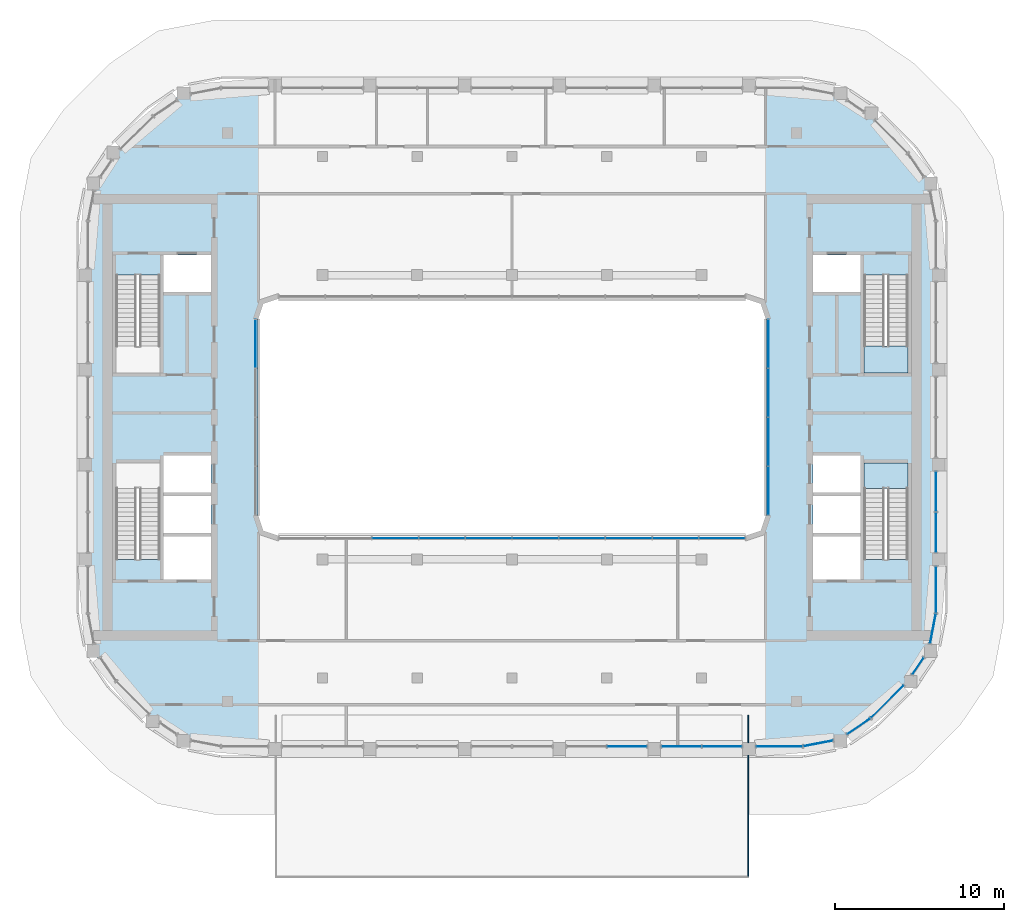
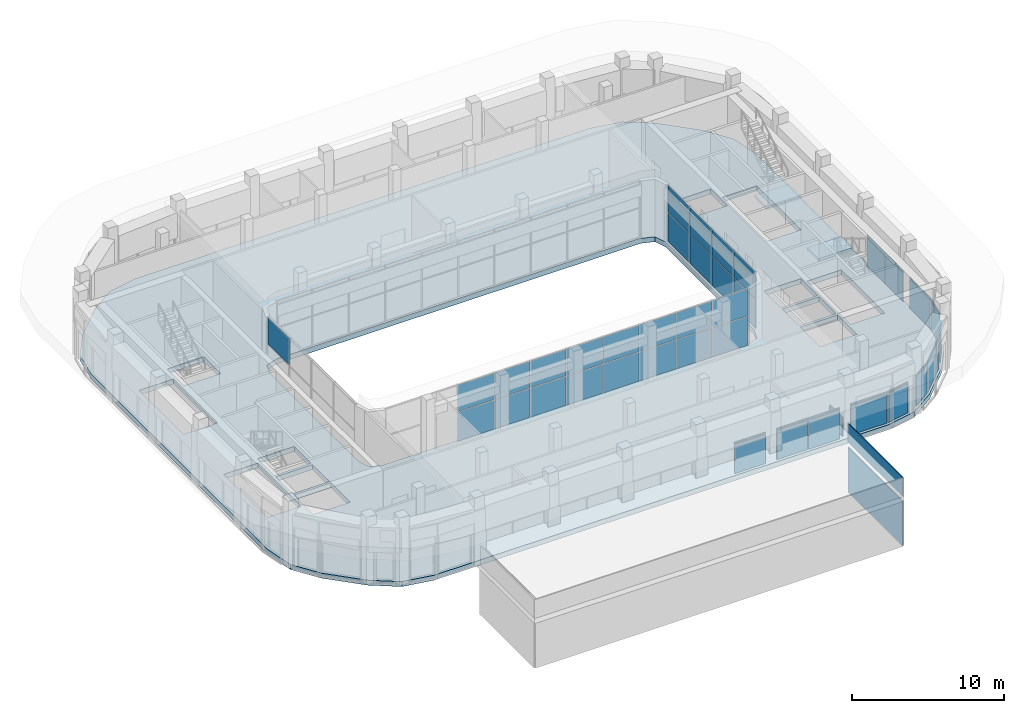
# One storey, part 11 of 23: 52 plates, 3 slabs, 15 elements without a shape of their own.
"""IFC4 building model written with IfcOpenShell, lengths in metres."""

from ifc_helpers import new_model, si_unit, direction, frame, origin, origin_2d, place, context, subcontext, project, spatial, polyline, rectangle, outline, extrude, material, layer, layer_set, type_object, element, aggregate, save


model = new_model("IFC4")

# Units and contexts
model_context = context("Model", 3, precision=1e-05, world=origin(), true_north=direction((0.0, 1.0)))
body_context = subcontext(model_context, "Body", "Model", "MODEL_VIEW")
ifc_project = project(units=[si_unit("LENGTHUNIT", "METRE"), si_unit("AREAUNIT", "SQUARE_METRE"), si_unit("VOLUMEUNIT", "CUBIC_METRE"), si_unit("PLANEANGLEUNIT", "RADIAN"), si_unit("MASSUNIT", "GRAM", prefix="KILO")], contexts=[model_context])

# Site, building, storey
site_placement = place(None, origin())
site = spatial("IfcSite", under=ifc_project, at=site_placement, CompositionType="ELEMENT")
building_placement = place(site_placement, origin())
building = spatial("IfcBuilding", under=site, at=building_placement, Name="Kiln Ring Residences", CompositionType="ELEMENT")
storey_placement = place(building_placement, frame((0.0, 0.0, 294.5)))
storey = spatial("IfcBuildingStorey", under=building, at=storey_placement, Name="L76", CompositionType="ELEMENT", Elevation=294.5)

# Stair, slab
ifc_material_1 = material(Name="Concrete C40/50", Category="concrete")
stair_type = type_object("IfcStairType", Name="CORE-STAIR", PredefinedType="HALF_TURN_STAIR", material=ifc_material_1)
placement_1 = place(storey_placement, origin())
stair_1 = element("IfcStair", 1, at=placement_1, inside=storey, type_object=stair_type, Name="L76 stair E-STN", PredefinedType="HALF_TURN_STAIR")
ifc_material_2 = material(Name="Concrete C40/50", Category="concrete")
ifc_layer_1 = layer(ifc_material_2, 0.199951171875)
ifc_layer_set_1 = layer_set([ifc_layer_1], Name="CORE-STAIR-LANDING")
slab_type_1 = type_object("IfcSlabType", Name="CORE-STAIR-LANDING", PredefinedType="LANDING", material=ifc_layer_set_1)
placement_2 = place(storey_placement, frame((0.0, 0.0, 2.5)))
slab_1 = element("IfcSlab", 2, at=placement_2, type_object=slab_type_1, Name="E-STN landing 1", PredefinedType="LANDING", context=body_context, shape_type="SweptSolid", body=[
    extrude(outline(polyline([(20.800048828125, 4.199951171875), (20.800048828125, 2.60009765625), (23.39990234375, 2.60009765625), (23.39990234375, 4.199951171875), (20.800048828125, 4.199951171875)])), origin(), (0.0, 0.0, 1.0), 0.199951171875),
])
aggregate(stair_1, [slab_1])

stair_2 = element("IfcStair", 3, at=placement_1, inside=storey, type_object=stair_type, Name="L76 stair E-STS", PredefinedType="HALF_TURN_STAIR")
slab_2 = element("IfcSlab", 4, at=placement_2, type_object=slab_type_1, Name="E-STS landing 1", PredefinedType="LANDING", context=body_context, shape_type="SweptSolid", body=[
    extrude(outline(polyline([(23.39990234375, -4.199951171875), (23.39990234375, -2.699951171875), (20.800048828125, -2.699951171875), (20.800048828125, -4.199951171875), (23.39990234375, -4.199951171875)])), origin(), (0.0, 0.0, 1.0), 0.199951171875),
])
aggregate(stair_2, [slab_2])

# Curtain wall, plate
ifc_material_3 = material(Name="Aluminium and glass", Category="aluminium")
ifc_layer_2 = layer(ifc_material_3, 0.179931640625)
ifc_layer_set_2 = layer_set([ifc_layer_2], Name="CW3 CURTAIN WALL")
curtain_wall_type_1 = type_object("IfcCurtainWallType", Name="CW3 CURTAIN WALL", PredefinedType="NOTDEFINED", material=ifc_layer_set_2)
curtain_wall_1 = element("IfcCurtainWall", 5, at=placement_1, inside=storey, type_object=curtain_wall_type_1, Name="Curtain wall CW3 L76", PredefinedType="NOTDEFINED")
ifc_material_4 = material(Name="Glass, clear laminated", Category="glass")
ifc_layer_3 = layer(ifc_material_4, 0.02392578125)
ifc_layer_set_3 = layer_set([ifc_layer_3], Name="CW3 PANEL 24")
plate_type_1 = type_object("IfcPlateType", Name="CW3 PANEL 24", PredefinedType="CURTAIN_PANEL", material=ifc_layer_set_3)
plate_1_placement = place(storey_placement, frame((-15.14990234375, 4.33740234375, 2.425048828125), z_axis=(0.0, 0.0, 1.0), x_axis=(0.0, 1.0, 0.0)))
plate_1 = element("IfcPlate", 6, at=plate_1_placement, type_object=plate_type_1, Name="CW3 panel 4.2", PredefinedType="CURTAIN_PANEL", context=body_context, shape_type="SweptSolid", body=[
    extrude(rectangle(XDim=2.824951171875, YDim=0.02392578125, at=origin_2d()), origin(), (0.0, 0.0, 1.0), 2.125),
])
aggregate(curtain_wall_1, [plate_1])

# Curtain wall, plates
curtain_wall_2 = element("IfcCurtainWall", 7, at=placement_1, inside=storey, type_object=curtain_wall_type_1, Name="Curtain wall CW3 L76", PredefinedType="NOTDEFINED")
plate_2_placement = place(storey_placement, frame((15.14990234375, 4.33740234375, 0.0498046875), z_axis=(0.0, 0.0, 1.0), x_axis=(0.0, -1.0, 0.0)))
plate_2 = element("IfcPlate", 8, at=plate_2_placement, type_object=plate_type_1, Name="CW3 panel 1.1", PredefinedType="CURTAIN_PANEL", context=body_context, shape_type="SweptSolid", body=[
    extrude(rectangle(XDim=2.824951171875, YDim=0.02392578125, at=origin_2d()), origin(), (0.0, 0.0, 1.0), 2.324951171875),
])
plate_3_placement = place(storey_placement, frame((15.14990234375, 4.33740234375, 2.425048828125), z_axis=(0.0, 0.0, 1.0), x_axis=(0.0, -1.0, 0.0)))
plate_3 = element("IfcPlate", 9, at=plate_3_placement, type_object=plate_type_1, Name="CW3 panel 1.2", PredefinedType="CURTAIN_PANEL", context=body_context, shape_type="SweptSolid", body=[
    extrude(rectangle(XDim=2.824951171875, YDim=0.02392578125, at=origin_2d()), origin(), (0.0, 0.0, 1.0), 2.125),
])
plate_4_placement = place(storey_placement, frame((15.14990234375, 1.449951171875, 0.0498046875), z_axis=(0.0, 0.0, 1.0), x_axis=(0.0, -1.0, 0.0)))
plate_4 = element("IfcPlate", 10, at=plate_4_placement, type_object=plate_type_1, Name="CW3 panel 2.1", PredefinedType="CURTAIN_PANEL", context=body_context, shape_type="SweptSolid", body=[
    extrude(rectangle(XDim=2.85009765625, YDim=0.02392578125, at=origin_2d()), origin(), (0.0, 0.0, 1.0), 2.324951171875),
])
plate_5_placement = place(storey_placement, frame((15.14990234375, 1.449951171875, 2.425048828125), z_axis=(0.0, 0.0, 1.0), x_axis=(0.0, -1.0, 0.0)))
plate_5 = element("IfcPlate", 11, at=plate_5_placement, type_object=plate_type_1, Name="CW3 panel 2.2", PredefinedType="CURTAIN_PANEL", context=body_context, shape_type="SweptSolid", body=[
    extrude(rectangle(XDim=2.85009765625, YDim=0.02392578125, at=origin_2d()), origin(), (0.0, 0.0, 1.0), 2.125),
])
plate_6_placement = place(storey_placement, frame((15.14990234375, -1.449951171875, 0.0498046875), z_axis=(0.0, 0.0, 1.0), x_axis=(0.0, -1.0, 0.0)))
plate_6 = element("IfcPlate", 12, at=plate_6_placement, type_object=plate_type_1, Name="CW3 panel 3.1", PredefinedType="CURTAIN_PANEL", context=body_context, shape_type="SweptSolid", body=[
    extrude(rectangle(XDim=2.85009765625, YDim=0.02392578125, at=origin_2d()), origin(), (0.0, 0.0, 1.0), 2.324951171875),
])
plate_7_placement = place(storey_placement, frame((15.14990234375, -1.449951171875, 2.425048828125), z_axis=(0.0, 0.0, 1.0), x_axis=(0.0, -1.0, 0.0)))
plate_7 = element("IfcPlate", 13, at=plate_7_placement, type_object=plate_type_1, Name="CW3 panel 3.2", PredefinedType="CURTAIN_PANEL", context=body_context, shape_type="SweptSolid", body=[
    extrude(rectangle(XDim=2.85009765625, YDim=0.02392578125, at=origin_2d()), origin(), (0.0, 0.0, 1.0), 2.125),
])
plate_8_placement = place(storey_placement, frame((15.14990234375, -4.33740234375, 0.0498046875), z_axis=(0.0, 0.0, 1.0), x_axis=(0.0, -1.0, 0.0)))
plate_8 = element("IfcPlate", 14, at=plate_8_placement, type_object=plate_type_1, Name="CW3 panel 4.1", PredefinedType="CURTAIN_PANEL", context=body_context, shape_type="SweptSolid", body=[
    extrude(rectangle(XDim=2.824951171875, YDim=0.02392578125, at=origin_2d()), origin(), (0.0, 0.0, 1.0), 2.324951171875),
])
plate_9_placement = place(storey_placement, frame((15.14990234375, -4.33740234375, 2.425048828125), z_axis=(0.0, 0.0, 1.0), x_axis=(0.0, -1.0, 0.0)))
plate_9 = element("IfcPlate", 15, at=plate_9_placement, type_object=plate_type_1, Name="CW3 panel 4.2", PredefinedType="CURTAIN_PANEL", context=body_context, shape_type="SweptSolid", body=[
    extrude(rectangle(XDim=2.824951171875, YDim=0.02392578125, at=origin_2d()), origin(), (0.0, 0.0, 1.0), 2.125),
])
aggregate(curtain_wall_2, [plate_2, plate_3, plate_4, plate_5, plate_6, plate_7, plate_8, plate_9])

curtain_wall_3 = element("IfcCurtainWall", 16, at=placement_1, inside=storey, type_object=curtain_wall_type_1, Name="Curtain wall CW3 L76", PredefinedType="NOTDEFINED")
plate_10_placement = place(storey_placement, frame((12.407470703125, -7.14990234375, 0.0498046875), z_axis=(0.0, 0.0, 1.0), x_axis=(-1.0, 0.0, 0.0)))
plate_10 = element("IfcPlate", 17, at=plate_10_placement, type_object=plate_type_1, Name="CW3 panel 1.1", PredefinedType="CURTAIN_PANEL", context=body_context, shape_type="SweptSolid", body=[
    extrude(rectangle(XDim=2.68505859375, YDim=0.02392578125, at=origin_2d()), origin(), (0.0, 0.0, 1.0), 2.324951171875),
])
plate_11_placement = place(storey_placement, frame((12.407470703125, -7.14990234375, 2.425048828125), z_axis=(0.0, 0.0, 1.0), x_axis=(-1.0, 0.0, 0.0)))
plate_11 = element("IfcPlate", 18, at=plate_11_placement, type_object=plate_type_1, Name="CW3 panel 1.2", PredefinedType="CURTAIN_PANEL", context=body_context, shape_type="SweptSolid", body=[
    extrude(rectangle(XDim=2.68505859375, YDim=0.02392578125, at=origin_2d()), origin(), (0.0, 0.0, 1.0), 2.125),
])
plate_12_placement = place(storey_placement, frame((9.659912109375, -7.14990234375, 0.0498046875), z_axis=(0.0, 0.0, 1.0), x_axis=(-1.0, 0.0, 0.0)))
plate_12 = element("IfcPlate", 19, at=plate_12_placement, type_object=plate_type_1, Name="CW3 panel 2.1", PredefinedType="CURTAIN_PANEL", context=body_context, shape_type="SweptSolid", body=[
    extrude(rectangle(XDim=2.7099609375, YDim=0.02392578125, at=origin_2d()), origin(), (0.0, 0.0, 1.0), 2.324951171875),
])
plate_13_placement = place(storey_placement, frame((9.659912109375, -7.14990234375, 2.425048828125), z_axis=(0.0, 0.0, 1.0), x_axis=(-1.0, 0.0, 0.0)))
plate_13 = element("IfcPlate", 20, at=plate_13_placement, type_object=plate_type_1, Name="CW3 panel 2.2", PredefinedType="CURTAIN_PANEL", context=body_context, shape_type="SweptSolid", body=[
    extrude(rectangle(XDim=2.7099609375, YDim=0.02392578125, at=origin_2d()), origin(), (0.0, 0.0, 1.0), 2.125),
])
plate_14_placement = place(storey_placement, frame((6.89990234375, -7.14990234375, 0.0498046875), z_axis=(0.0, 0.0, 1.0), x_axis=(-1.0, 0.0, 0.0)))
plate_14 = element("IfcPlate", 21, at=plate_14_placement, type_object=plate_type_1, Name="CW3 panel 3.1", PredefinedType="CURTAIN_PANEL", context=body_context, shape_type="SweptSolid", body=[
    extrude(rectangle(XDim=2.7099609375, YDim=0.02392578125, at=origin_2d()), origin(), (0.0, 0.0, 1.0), 2.324951171875),
])
plate_15_placement = place(storey_placement, frame((6.89990234375, -7.14990234375, 2.425048828125), z_axis=(0.0, 0.0, 1.0), x_axis=(-1.0, 0.0, 0.0)))
plate_15 = element("IfcPlate", 22, at=plate_15_placement, type_object=plate_type_1, Name="CW3 panel 3.2", PredefinedType="CURTAIN_PANEL", context=body_context, shape_type="SweptSolid", body=[
    extrude(rectangle(XDim=2.7099609375, YDim=0.02392578125, at=origin_2d()), origin(), (0.0, 0.0, 1.0), 2.125),
])
plate_16_placement = place(storey_placement, frame((4.139892578125, -7.14990234375, 0.0498046875), z_axis=(0.0, 0.0, 1.0), x_axis=(-1.0, 0.0, 0.0)))
plate_16 = element("IfcPlate", 23, at=plate_16_placement, type_object=plate_type_1, Name="CW3 panel 4.1", PredefinedType="CURTAIN_PANEL", context=body_context, shape_type="SweptSolid", body=[
    extrude(rectangle(XDim=2.7099609375, YDim=0.02392578125, at=origin_2d()), origin(), (0.0, 0.0, 1.0), 2.324951171875),
])
plate_17_placement = place(storey_placement, frame((4.139892578125, -7.14990234375, 2.425048828125), z_axis=(0.0, 0.0, 1.0), x_axis=(-1.0, 0.0, 0.0)))
plate_17 = element("IfcPlate", 24, at=plate_17_placement, type_object=plate_type_1, Name="CW3 panel 4.2", PredefinedType="CURTAIN_PANEL", context=body_context, shape_type="SweptSolid", body=[
    extrude(rectangle(XDim=2.7099609375, YDim=0.02392578125, at=origin_2d()), origin(), (0.0, 0.0, 1.0), 2.125),
])
plate_18_placement = place(storey_placement, frame((1.3798828125, -7.14990234375, 0.0498046875), z_axis=(0.0, 0.0, 1.0), x_axis=(-1.0, 0.0, 0.0)))
plate_18 = element("IfcPlate", 25, at=plate_18_placement, type_object=plate_type_1, Name="CW3 panel 5.1", PredefinedType="CURTAIN_PANEL", context=body_context, shape_type="SweptSolid", body=[
    extrude(rectangle(XDim=2.7099609375, YDim=0.02392578125, at=origin_2d()), origin(), (0.0, 0.0, 1.0), 2.324951171875),
])
plate_19_placement = place(storey_placement, frame((1.3798828125, -7.14990234375, 2.425048828125), z_axis=(0.0, 0.0, 1.0), x_axis=(-1.0, 0.0, 0.0)))
plate_19 = element("IfcPlate", 26, at=plate_19_placement, type_object=plate_type_1, Name="CW3 panel 5.2", PredefinedType="CURTAIN_PANEL", context=body_context, shape_type="SweptSolid", body=[
    extrude(rectangle(XDim=2.7099609375, YDim=0.02392578125, at=origin_2d()), origin(), (0.0, 0.0, 1.0), 2.125),
])
plate_20_placement = place(storey_placement, frame((-1.3798828125, -7.14990234375, 0.0498046875), z_axis=(0.0, 0.0, 1.0), x_axis=(-1.0, 0.0, 0.0)))
plate_20 = element("IfcPlate", 27, at=plate_20_placement, type_object=plate_type_1, Name="CW3 panel 6.1", PredefinedType="CURTAIN_PANEL", context=body_context, shape_type="SweptSolid", body=[
    extrude(rectangle(XDim=2.7099609375, YDim=0.02392578125, at=origin_2d()), origin(), (0.0, 0.0, 1.0), 2.324951171875),
])
plate_21_placement = place(storey_placement, frame((-1.3798828125, -7.14990234375, 2.425048828125), z_axis=(0.0, 0.0, 1.0), x_axis=(-1.0, 0.0, 0.0)))
plate_21 = element("IfcPlate", 28, at=plate_21_placement, type_object=plate_type_1, Name="CW3 panel 6.2", PredefinedType="CURTAIN_PANEL", context=body_context, shape_type="SweptSolid", body=[
    extrude(rectangle(XDim=2.7099609375, YDim=0.02392578125, at=origin_2d()), origin(), (0.0, 0.0, 1.0), 2.125),
])
plate_22_placement = place(storey_placement, frame((-4.139892578125, -7.14990234375, 0.0498046875), z_axis=(0.0, 0.0, 1.0), x_axis=(-1.0, 0.0, 0.0)))
plate_22 = element("IfcPlate", 29, at=plate_22_placement, type_object=plate_type_1, Name="CW3 panel 7.1", PredefinedType="CURTAIN_PANEL", context=body_context, shape_type="SweptSolid", body=[
    extrude(rectangle(XDim=2.7099609375, YDim=0.02392578125, at=origin_2d()), origin(), (0.0, 0.0, 1.0), 2.324951171875),
])
plate_23_placement = place(storey_placement, frame((-4.139892578125, -7.14990234375, 2.425048828125), z_axis=(0.0, 0.0, 1.0), x_axis=(-1.0, 0.0, 0.0)))
plate_23 = element("IfcPlate", 30, at=plate_23_placement, type_object=plate_type_1, Name="CW3 panel 7.2", PredefinedType="CURTAIN_PANEL", context=body_context, shape_type="SweptSolid", body=[
    extrude(rectangle(XDim=2.7099609375, YDim=0.02392578125, at=origin_2d()), origin(), (0.0, 0.0, 1.0), 2.125),
])
plate_24_placement = place(storey_placement, frame((-6.89990234375, -7.14990234375, 0.0498046875), z_axis=(0.0, 0.0, 1.0), x_axis=(-1.0, 0.0, 0.0)))
plate_24 = element("IfcPlate", 31, at=plate_24_placement, type_object=plate_type_1, Name="CW3 panel 8.1", PredefinedType="CURTAIN_PANEL", context=body_context, shape_type="SweptSolid", body=[
    extrude(rectangle(XDim=2.7099609375, YDim=0.02392578125, at=origin_2d()), origin(), (0.0, 0.0, 1.0), 2.324951171875),
])
plate_25_placement = place(storey_placement, frame((-6.89990234375, -7.14990234375, 2.425048828125), z_axis=(0.0, 0.0, 1.0), x_axis=(-1.0, 0.0, 0.0)))
plate_25 = element("IfcPlate", 32, at=plate_25_placement, type_object=plate_type_1, Name="CW3 panel 8.2", PredefinedType="CURTAIN_PANEL", context=body_context, shape_type="SweptSolid", body=[
    extrude(rectangle(XDim=2.7099609375, YDim=0.02392578125, at=origin_2d()), origin(), (0.0, 0.0, 1.0), 2.125),
])
aggregate(curtain_wall_3, [plate_10, plate_11, plate_12, plate_13, plate_14, plate_15, plate_16, plate_17, plate_18, plate_19, plate_20, plate_21, plate_22, plate_23, plate_24, plate_25])

ifc_material_5 = material(Name="Aluminium and glass", Category="aluminium")
ifc_layer_4 = layer(ifc_material_5, 0.219970703125)
ifc_layer_set_4 = layer_set([ifc_layer_4], Name="CW5 CURTAIN WALL")
curtain_wall_type_2 = type_object("IfcCurtainWallType", Name="CW5 CURTAIN WALL", PredefinedType="NOTDEFINED", material=ifc_layer_set_4)
curtain_wall_4 = element("IfcCurtainWall", 33, at=placement_1, inside=storey, type_object=curtain_wall_type_2, Name="Curtain wall CW5 L76", PredefinedType="NOTDEFINED")
ifc_material_6 = material(Name="Glass, low-e laminated", Category="glass")
ifc_layer_5 = layer(ifc_material_6, 0.031982421875)
ifc_layer_set_5 = layer_set([ifc_layer_5], Name="CW5 PANEL 32")
plate_type_2 = type_object("IfcPlateType", Name="CW5 PANEL 32", PredefinedType="CURTAIN_PANEL", material=ifc_layer_set_5)
plate_26_placement = place(storey_placement, frame((6.797607421875, -19.449951171875, 0.06005859375), z_axis=(0.0, 0.0, 1.0), x_axis=(1.0, 0.0, 0.0)))
plate_26 = element("IfcPlate", 34, at=plate_26_placement, type_object=plate_type_2, Name="CW5 panel 2.1", PredefinedType="CURTAIN_PANEL", context=body_context, shape_type="SweptSolid", body=[
    extrude(rectangle(XDim=2.3349609375, YDim=0.031982421875, at=origin_2d()), origin(), (0.0, 0.0, 1.0), 2.31005859375),
])
plate_27_placement = place(storey_placement, frame((6.797607421875, -19.449951171875, 2.43017578125), z_axis=(0.0, 0.0, 1.0), x_axis=(1.0, 0.0, 0.0)))
plate_27 = element("IfcPlate", 35, at=plate_27_placement, type_object=plate_type_2, Name="CW5 panel 2.2", PredefinedType="CURTAIN_PANEL", context=body_context, shape_type="SweptSolid", body=[
    extrude(rectangle(XDim=2.3349609375, YDim=0.031982421875, at=origin_2d()), origin(), (0.0, 0.0, 1.0), 0.110107421875),
])
aggregate(curtain_wall_4, [plate_26, plate_27])

curtain_wall_5 = element("IfcCurtainWall", 36, at=placement_1, inside=storey, type_object=curtain_wall_type_2, Name="Curtain wall CW5 L76", PredefinedType="NOTDEFINED")
plate_28_placement = place(storey_placement, frame((10.00244140625, -19.449951171875, 0.06005859375), z_axis=(0.0, 0.0, 1.0), x_axis=(1.0, 0.0, 0.0)))
plate_28 = element("IfcPlate", 37, at=plate_28_placement, type_object=plate_type_2, Name="CW5 panel 1.1", PredefinedType="CURTAIN_PANEL", context=body_context, shape_type="SweptSolid", body=[
    extrude(rectangle(XDim=2.3349609375, YDim=0.031982421875, at=origin_2d()), origin(), (0.0, 0.0, 1.0), 2.31005859375),
])
plate_29_placement = place(storey_placement, frame((10.00244140625, -19.449951171875, 2.43017578125), z_axis=(0.0, 0.0, 1.0), x_axis=(1.0, 0.0, 0.0)))
plate_29 = element("IfcPlate", 38, at=plate_29_placement, type_object=plate_type_2, Name="CW5 panel 1.2", PredefinedType="CURTAIN_PANEL", context=body_context, shape_type="SweptSolid", body=[
    extrude(rectangle(XDim=2.3349609375, YDim=0.031982421875, at=origin_2d()), origin(), (0.0, 0.0, 1.0), 0.110107421875),
])
plate_30_placement = place(storey_placement, frame((12.3974609375, -19.449951171875, 0.06005859375), z_axis=(0.0, 0.0, 1.0), x_axis=(1.0, 0.0, 0.0)))
plate_30 = element("IfcPlate", 39, at=plate_30_placement, type_object=plate_type_2, Name="CW5 panel 2.1", PredefinedType="CURTAIN_PANEL", context=body_context, shape_type="SweptSolid", body=[
    extrude(rectangle(XDim=2.3349609375, YDim=0.031982421875, at=origin_2d()), origin(), (0.0, 0.0, 1.0), 2.31005859375),
])
plate_31_placement = place(storey_placement, frame((12.3974609375, -19.449951171875, 2.43017578125), z_axis=(0.0, 0.0, 1.0), x_axis=(1.0, 0.0, 0.0)))
plate_31 = element("IfcPlate", 40, at=plate_31_placement, type_object=plate_type_2, Name="CW5 panel 2.2", PredefinedType="CURTAIN_PANEL", context=body_context, shape_type="SweptSolid", body=[
    extrude(rectangle(XDim=2.3349609375, YDim=0.031982421875, at=origin_2d()), origin(), (0.0, 0.0, 1.0), 0.110107421875),
])
aggregate(curtain_wall_5, [plate_28, plate_29, plate_30, plate_31])

curtain_wall_6 = element("IfcCurtainWall", 41, at=placement_1, inside=storey, type_object=curtain_wall_type_2, Name="Curtain wall CW5 L76", PredefinedType="NOTDEFINED")
plate_32_placement = place(storey_placement, frame((15.78759765625, -19.449951171875, 0.06005859375), z_axis=(0.0, 0.0, 1.0), x_axis=(1.0, 0.0, 0.0)))
plate_32 = element("IfcPlate", 42, at=plate_32_placement, type_object=plate_type_2, Name="CW5 panel 1.1", PredefinedType="CURTAIN_PANEL", context=body_context, shape_type="SweptSolid", body=[
    extrude(rectangle(XDim=2.705078125, YDim=0.031982421875, at=origin_2d()), origin(), (0.0, 0.0, 1.0), 2.31005859375),
])
plate_33_placement = place(storey_placement, frame((15.78759765625, -19.449951171875, 2.43017578125), z_axis=(0.0, 0.0, 1.0), x_axis=(1.0, 0.0, 0.0)))
plate_33 = element("IfcPlate", 43, at=plate_33_placement, type_object=plate_type_2, Name="CW5 panel 1.2", PredefinedType="CURTAIN_PANEL", context=body_context, shape_type="SweptSolid", body=[
    extrude(rectangle(XDim=2.705078125, YDim=0.031982421875, at=origin_2d()), origin(), (0.0, 0.0, 1.0), 0.110107421875),
])
aggregate(curtain_wall_6, [plate_32, plate_33])

curtain_wall_7 = element("IfcCurtainWall", 44, at=placement_1, inside=storey, type_object=curtain_wall_type_2, Name="Curtain wall CW5 L76", PredefinedType="NOTDEFINED")
plate_34_placement = place(storey_placement, frame((18.095703125, -19.2763671875, 0.06005859375), z_axis=(0.0, 0.0, 1.0), x_axis=(0.982290257784, 0.187365550364, 0.0)))
plate_34 = element("IfcPlate", 45, at=plate_34_placement, type_object=plate_type_2, Name="CW5 panel 1.1", PredefinedType="CURTAIN_PANEL", context=body_context, shape_type="SweptSolid", body=[
    extrude(rectangle(XDim=1.76123046875, YDim=0.031982421875, at=origin_2d()), origin(), (0.0, 0.0, 1.0), 2.31005859375),
])
plate_35_placement = place(storey_placement, frame((18.095703125, -19.2763671875, 2.43017578125), z_axis=(0.0, 0.0, 1.0), x_axis=(0.982290257784, 0.187365550364, 0.0)))
plate_35 = element("IfcPlate", 46, at=plate_35_placement, type_object=plate_type_2, Name="CW5 panel 1.2", PredefinedType="CURTAIN_PANEL", context=body_context, shape_type="SweptSolid", body=[
    extrude(rectangle(XDim=1.76123046875, YDim=0.031982421875, at=origin_2d()), origin(), (0.0, 0.0, 1.0), 0.110107421875),
])
aggregate(curtain_wall_7, [plate_34, plate_35])

curtain_wall_8 = element("IfcCurtainWall", 47, at=placement_1, inside=storey, type_object=curtain_wall_type_2, Name="Curtain wall CW5 L76", PredefinedType="NOTDEFINED")
plate_36_placement = place(storey_placement, frame((20.48876953125, -18.27099609375, 0.06005859375), z_axis=(0.0, 0.0, 1.0), x_axis=(0.827071553606, 0.562096651134, 0.0)))
plate_36 = element("IfcPlate", 48, at=plate_36_placement, type_object=plate_type_2, Name="CW5 panel 1.1", PredefinedType="CURTAIN_PANEL", context=body_context, shape_type="SweptSolid", body=[
    extrude(rectangle(XDim=1.630859375, YDim=0.031982421875, at=origin_2d()), origin(), (0.0, 0.0, 1.0), 2.31005859375),
])
plate_37_placement = place(storey_placement, frame((20.48876953125, -18.27099609375, 2.43017578125), z_axis=(0.0, 0.0, 1.0), x_axis=(0.827071553606, 0.562096651134, 0.0)))
plate_37 = element("IfcPlate", 49, at=plate_37_placement, type_object=plate_type_2, Name="CW5 panel 1.2", PredefinedType="CURTAIN_PANEL", context=body_context, shape_type="SweptSolid", body=[
    extrude(rectangle(XDim=1.630859375, YDim=0.031982421875, at=origin_2d()), origin(), (0.0, 0.0, 1.0), 0.110107421875),
])
aggregate(curtain_wall_8, [plate_36, plate_37])

curtain_wall_9 = element("IfcCurtainWall", 50, at=placement_1, inside=storey, type_object=curtain_wall_type_2, Name="Curtain wall CW5 L76", PredefinedType="NOTDEFINED")
plate_38_placement = place(storey_placement, frame((22.18798828125, -16.800048828125, 0.06005859375), z_axis=(0.0, 0.0, 1.0), x_axis=(0.707106781187, 0.707106781187, 0.0)))
plate_38 = element("IfcPlate", 51, at=plate_38_placement, type_object=plate_type_2, Name="CW5 panel 1.1", PredefinedType="CURTAIN_PANEL", context=body_context, shape_type="SweptSolid", body=[
    extrude(rectangle(XDim=2.69970703125, YDim=0.031982421875, at=origin_2d()), origin(), (0.0, 0.0, 1.0), 2.31005859375),
])
plate_39_placement = place(storey_placement, frame((22.18798828125, -16.800048828125, 2.43017578125), z_axis=(0.0, 0.0, 1.0), x_axis=(0.707106781187, 0.707106781187, 0.0)))
plate_39 = element("IfcPlate", 52, at=plate_39_placement, type_object=plate_type_2, Name="CW5 panel 1.2", PredefinedType="CURTAIN_PANEL", context=body_context, shape_type="SweptSolid", body=[
    extrude(rectangle(XDim=2.69970703125, YDim=0.031982421875, at=origin_2d()), origin(), (0.0, 0.0, 1.0), 0.110107421875),
])
aggregate(curtain_wall_9, [plate_38, plate_39])

curtain_wall_10 = element("IfcCurtainWall", 53, at=placement_1, inside=storey, type_object=curtain_wall_type_2, Name="Curtain wall CW5 L76", PredefinedType="NOTDEFINED")
plate_40_placement = place(storey_placement, frame((23.99853515625, -14.700927734375, 0.06005859375), z_axis=(0.0, 0.0, 1.0), x_axis=(0.562096651033, 0.827071553674, 0.0)))
plate_40 = element("IfcPlate", 54, at=plate_40_placement, type_object=plate_type_2, Name="CW5 panel 1.1", PredefinedType="CURTAIN_PANEL", context=body_context, shape_type="SweptSolid", body=[
    extrude(rectangle(XDim=1.177001953125, YDim=0.031982421875, at=origin_2d()), origin(), (0.0, 0.0, 1.0), 2.31005859375),
])
plate_41_placement = place(storey_placement, frame((23.99853515625, -14.700927734375, 2.43017578125), z_axis=(0.0, 0.0, 1.0), x_axis=(0.562096651033, 0.827071553674, 0.0)))
plate_41 = element("IfcPlate", 55, at=plate_41_placement, type_object=plate_type_2, Name="CW5 panel 1.2", PredefinedType="CURTAIN_PANEL", context=body_context, shape_type="SweptSolid", body=[
    extrude(rectangle(XDim=1.177001953125, YDim=0.031982421875, at=origin_2d()), origin(), (0.0, 0.0, 1.0), 0.110107421875),
])
aggregate(curtain_wall_10, [plate_40, plate_41])

curtain_wall_11 = element("IfcCurtainWall", 56, at=placement_1, inside=storey, type_object=curtain_wall_type_2, Name="Curtain wall CW5 L76", PredefinedType="NOTDEFINED")
plate_42_placement = place(storey_placement, frame((24.87646484375, -12.495849609375, 0.06005859375), z_axis=(0.0, 0.0, 1.0), x_axis=(0.187365550364, 0.982290257784, 0.0)))
plate_42 = element("IfcPlate", 57, at=plate_42_placement, type_object=plate_type_2, Name="CW5 panel 1.1", PredefinedType="CURTAIN_PANEL", context=body_context, shape_type="SweptSolid", body=[
    extrude(rectangle(XDim=1.76123046875, YDim=0.031982421875, at=origin_2d()), origin(), (0.0, 0.0, 1.0), 2.31005859375),
])
plate_43_placement = place(storey_placement, frame((24.87646484375, -12.495849609375, 2.43017578125), z_axis=(0.0, 0.0, 1.0), x_axis=(0.187365550364, 0.982290257784, 0.0)))
plate_43 = element("IfcPlate", 58, at=plate_43_placement, type_object=plate_type_2, Name="CW5 panel 1.2", PredefinedType="CURTAIN_PANEL", context=body_context, shape_type="SweptSolid", body=[
    extrude(rectangle(XDim=1.76123046875, YDim=0.031982421875, at=origin_2d()), origin(), (0.0, 0.0, 1.0), 0.110107421875),
])
aggregate(curtain_wall_11, [plate_42, plate_43])

curtain_wall_12 = element("IfcCurtainWall", 59, at=placement_1, inside=storey, type_object=curtain_wall_type_2, Name="Curtain wall CW5 L76", PredefinedType="NOTDEFINED")
plate_44_placement = place(storey_placement, frame((25.050048828125, -10.1875, 0.06005859375), z_axis=(0.0, 0.0, 1.0), x_axis=(0.0, 1.0, 0.0)))
plate_44 = element("IfcPlate", 60, at=plate_44_placement, type_object=plate_type_2, Name="CW5 panel 1.1", PredefinedType="CURTAIN_PANEL", context=body_context, shape_type="SweptSolid", body=[
    extrude(rectangle(XDim=2.705078125, YDim=0.031982421875, at=origin_2d()), origin(), (0.0, 0.0, 1.0), 2.31005859375),
])
plate_45_placement = place(storey_placement, frame((25.050048828125, -10.1875, 2.43017578125), z_axis=(0.0, 0.0, 1.0), x_axis=(0.0, 1.0, 0.0)))
plate_45 = element("IfcPlate", 61, at=plate_45_placement, type_object=plate_type_2, Name="CW5 panel 1.2", PredefinedType="CURTAIN_PANEL", context=body_context, shape_type="SweptSolid", body=[
    extrude(rectangle(XDim=2.705078125, YDim=0.031982421875, at=origin_2d()), origin(), (0.0, 0.0, 1.0), 0.110107421875),
])
aggregate(curtain_wall_12, [plate_44, plate_45])

curtain_wall_13 = element("IfcCurtainWall", 62, at=placement_1, inside=storey, type_object=curtain_wall_type_2, Name="Curtain wall CW5 L76", PredefinedType="NOTDEFINED")
plate_46_placement = place(storey_placement, frame((25.050048828125, -6.797607421875, 0.06005859375), z_axis=(0.0, 0.0, 1.0), x_axis=(0.0, 1.0, 0.0)))
plate_46 = element("IfcPlate", 63, at=plate_46_placement, type_object=plate_type_2, Name="CW5 panel 1.1", PredefinedType="CURTAIN_PANEL", context=body_context, shape_type="SweptSolid", body=[
    extrude(rectangle(XDim=2.3349609375, YDim=0.031982421875, at=origin_2d()), origin(), (0.0, 0.0, 1.0), 2.31005859375),
])
plate_47_placement = place(storey_placement, frame((25.050048828125, -6.797607421875, 2.43017578125), z_axis=(0.0, 0.0, 1.0), x_axis=(0.0, 1.0, 0.0)))
plate_47 = element("IfcPlate", 64, at=plate_47_placement, type_object=plate_type_2, Name="CW5 panel 1.2", PredefinedType="CURTAIN_PANEL", context=body_context, shape_type="SweptSolid", body=[
    extrude(rectangle(XDim=2.3349609375, YDim=0.031982421875, at=origin_2d()), origin(), (0.0, 0.0, 1.0), 0.110107421875),
])
plate_48_placement = place(storey_placement, frame((25.050048828125, -4.402587890625, 0.06005859375), z_axis=(0.0, 0.0, 1.0), x_axis=(0.0, 1.0, 0.0)))
plate_48 = element("IfcPlate", 65, at=plate_48_placement, type_object=plate_type_2, Name="CW5 panel 2.1", PredefinedType="CURTAIN_PANEL", context=body_context, shape_type="SweptSolid", body=[
    extrude(rectangle(XDim=2.3349609375, YDim=0.031982421875, at=origin_2d()), origin(), (0.0, 0.0, 1.0), 2.31005859375),
])
plate_49_placement = place(storey_placement, frame((25.050048828125, -4.402587890625, 2.43017578125), z_axis=(0.0, 0.0, 1.0), x_axis=(0.0, 1.0, 0.0)))
plate_49 = element("IfcPlate", 66, at=plate_49_placement, type_object=plate_type_2, Name="CW5 panel 2.2", PredefinedType="CURTAIN_PANEL", context=body_context, shape_type="SweptSolid", body=[
    extrude(rectangle(XDim=2.3349609375, YDim=0.031982421875, at=origin_2d()), origin(), (0.0, 0.0, 1.0), 0.110107421875),
])
aggregate(curtain_wall_13, [plate_46, plate_47, plate_48, plate_49])

# Slab
ifc_material_7 = material(Name="Concrete C40/50", Category="concrete")
ifc_layer_6 = layer(ifc_material_7, 0.39990234375)
ifc_layer_set_6 = layer_set([ifc_layer_6], Name="Floor slab 400")
slab_type_2 = type_object("IfcSlabType", Name="Floor slab 400", PredefinedType="FLOOR", material=ifc_layer_set_6)
slab_3_placement = place(storey_placement, frame((0.0, 0.0, -0.39990234375)))
element("IfcSlab", 67, at=slab_3_placement, inside=storey, type_object=slab_type_2, Name="Floor slab L76 1", PredefinedType="FLOOR", context=body_context, shape_type="SweptSolid", body=[
    extrude(outline(polyline([(-23.5029296875, -15.697021484375), (-21.297119140625, -17.90283203125), (-19.42431640625, -19.17578125), (-17.199951171875, -19.60009765625), (17.199951171875, -19.60009765625), (19.42431640625, -19.17578125), (21.297119140625, -17.90283203125), (23.5029296875, -15.697021484375), (24.775634765625, -13.82421875), (25.199951171875, -11.60009765625), (25.199951171875, 11.60009765625), (24.775634765625, 13.82421875), (23.5029296875, 15.697021484375), (21.297119140625, 17.90283203125), (19.42431640625, 19.17578125), (17.199951171875, 19.60009765625), (-17.199951171875, 19.60009765625), (-19.42431640625, 19.17578125), (-21.297119140625, 17.90283203125), (-23.5029296875, 15.697021484375), (-24.775634765625, 13.82421875), (-25.199951171875, 11.60009765625), (-25.199951171875, -11.60009765625), (-24.775634765625, -13.82421875), (-23.5029296875, -15.697021484375)]), holes=[polyline([(-14.699951171875, -6.699951171875), (-15.0, -5.800048828125), (-15.0, 5.800048828125), (-14.699951171875, 6.699951171875), (-13.800048828125, 7.0), (13.800048828125, 7.0), (14.699951171875, 6.699951171875), (15.0, 5.800048828125), (15.0, -5.800048828125), (14.699951171875, -6.699951171875), (13.800048828125, -7.0), (-13.800048828125, -7.0), (-14.699951171875, -6.699951171875)]), polyline([(20.800048828125, -8.39794921875), (20.800048828125, -2.699951171875), (23.39990234375, -2.699951171875), (23.39990234375, -8.39794921875), (20.800048828125, -8.39794921875)]), polyline([(20.800048828125, 2.60009765625), (20.800048828125, 8.39794921875), (23.39990234375, 8.39794921875), (23.39990234375, 2.60009765625), (20.800048828125, 2.60009765625)]), polyline([(17.800048828125, -6.85009765625), (17.800048828125, -4.64990234375), (20.60009765625, -4.64990234375), (20.60009765625, -6.85009765625), (17.800048828125, -6.85009765625)]), polyline([(17.800048828125, 7.39990234375), (17.800048828125, 9.60009765625), (20.60009765625, 9.60009765625), (20.60009765625, 7.39990234375), (17.800048828125, 7.39990234375)]), polyline([(20.60009765625, -9.60009765625), (17.800048828125, -9.60009765625), (17.800048828125, -7.050048828125), (20.60009765625, -7.050048828125), (20.60009765625, -9.60009765625)]), polyline([(20.60009765625, -4.449951171875), (17.800048828125, -4.449951171875), (17.800048828125, -2.25), (20.60009765625, -2.25), (20.60009765625, -4.449951171875)]), polyline([(-17.800048828125, -7.050048828125), (-17.800048828125, -9.60009765625), (-20.60009765625, -9.60009765625), (-20.60009765625, -7.050048828125), (-17.800048828125, -7.050048828125)]), polyline([(-17.800048828125, -6.85009765625), (-20.60009765625, -6.85009765625), (-20.60009765625, -4.64990234375), (-17.800048828125, -4.64990234375), (-17.800048828125, -6.85009765625)]), polyline([(-17.800048828125, -2.25), (-17.800048828125, -4.449951171875), (-20.60009765625, -4.449951171875), (-20.60009765625, -2.25), (-17.800048828125, -2.25)]), polyline([(-17.800048828125, 7.39990234375), (-20.60009765625, 7.39990234375), (-20.60009765625, 9.60009765625), (-17.800048828125, 9.60009765625), (-17.800048828125, 7.39990234375)]), polyline([(-20.800048828125, -8.39794921875), (-23.39990234375, -8.39794921875), (-23.39990234375, -2.699951171875), (-20.800048828125, -2.699951171875), (-20.800048828125, -8.39794921875)]), polyline([(-20.800048828125, 2.60009765625), (-23.39990234375, 2.60009765625), (-23.39990234375, 8.39794921875), (-20.800048828125, 8.39794921875), (-20.800048828125, 2.60009765625)])]), origin(), (0.0, 0.0, 1.0), 0.39990234375),
])

# Plates
ifc_material_8 = material(Name="Glass, laminated structural, light blue tint", Category="glass")
ifc_layer_7 = layer(ifc_material_8, 0.080078125)
ifc_layer_set_7 = layer_set([ifc_layer_7], Name="SKY POOL GLASS WALL 80")
plate_type_3 = type_object("IfcPlateType", Name="SKY POOL GLASS WALL 80", PredefinedType="SHEET", material=ifc_layer_set_7)
plate_50_placement = place(storey_placement, frame((13.9599609375, -23.547607421875, 0.0), z_axis=(0.0, 0.0, 1.0), x_axis=(1.0, 0.0, 0.0)))
element("IfcPlate", 68, at=plate_50_placement, inside=storey, type_object=plate_type_3, Name="SKY POOL GLASS WALL E1", PredefinedType="SHEET", context=body_context, shape_type="SweptSolid", body=[
    extrude(rectangle(XDim=0.080078125, YDim=7.14501953125, at=origin_2d()), origin(), (0.0, 0.0, 1.0), 1.5),
])
plate_51_placement = place(storey_placement, frame((13.9599609375, -18.41259765625, 0.0), z_axis=(0.0, 0.0, 1.0), x_axis=(1.0, 0.0, 0.0)))
element("IfcPlate", 69, at=plate_51_placement, inside=storey, type_object=plate_type_3, Name="SKY POOL GLASS WALL E2", PredefinedType="SHEET", context=body_context, shape_type="SweptSolid", body=[
    extrude(rectangle(XDim=0.080078125, YDim=1.625, at=origin_2d()), origin(), (0.0, 0.0, 1.0), 1.5),
])
ifc_material_9 = material(Name="Glass, laminated structural, light blue tint", Category="glass")
ifc_layer_8 = layer(ifc_material_9, 0.080078125)
ifc_layer_set_8 = layer_set([ifc_layer_8], Name="SKY POOL TANK SKIRT 80")
plate_type_4 = type_object("IfcPlateType", Name="SKY POOL TANK SKIRT 80", PredefinedType="SHEET", material=ifc_layer_set_8)
plate_52_placement = place(storey_placement, frame((13.9599609375, -23.547607421875, -4.0), z_axis=(0.0, 0.0, 1.0), x_axis=(1.0, 0.0, 0.0)))
element("IfcPlate", 70, at=plate_52_placement, inside=storey, type_object=plate_type_4, Name="SKY POOL TANK SKIRT E", PredefinedType="SHEET", context=body_context, shape_type="SweptSolid", body=[
    extrude(rectangle(XDim=0.080078125, YDim=7.14501953125, at=origin_2d()), origin(), (0.0, 0.0, 1.0), 3.60009765625),
])

save(model, "model.ifc")
